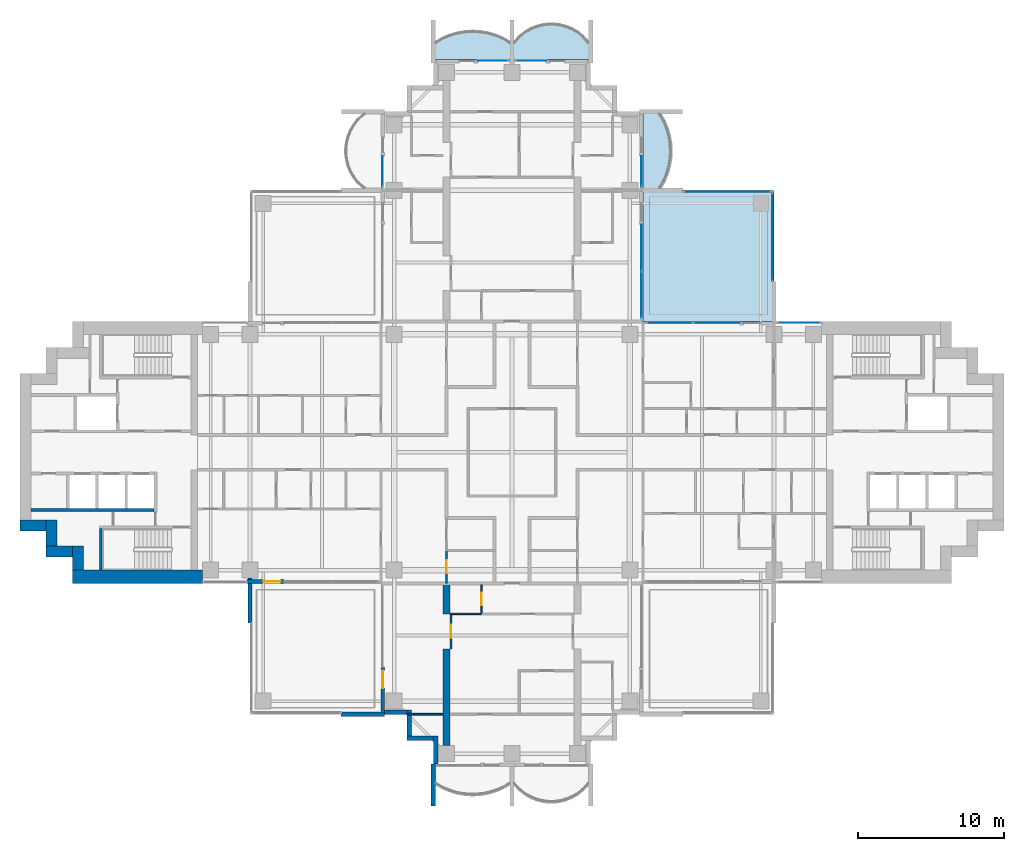
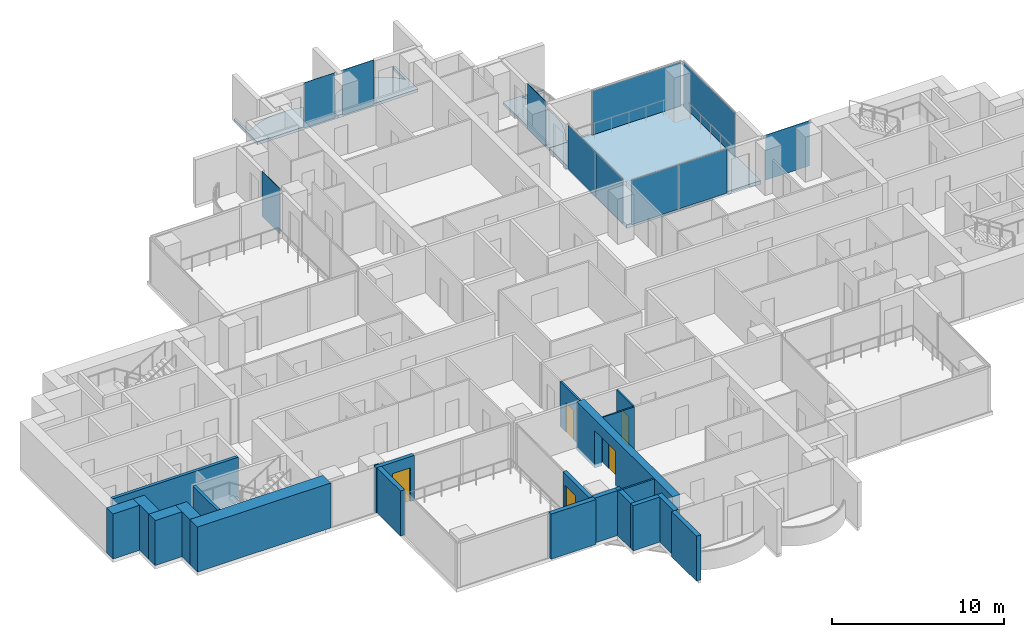
# One storey, part 8 of 19: 22 walls, 11 plates, 5 doors, 4 slabs, 5 openings, 9 elements without a shape of their own.
"""IFC4 building model written with IfcOpenShell, lengths in metres."""

from ifc_helpers import new_model, si_unit, direction, frame, frame_2d, origin, origin_2d, place, context, subcontext, project, spatial, polyline, rectangle, outline, extrude, material, layer, layer_set, material_profile, profile_set, type_object, element, fill, aggregate, save


model = new_model("IFC4")

# Units and contexts
model_context = context("Model", 3, precision=1e-05, world=origin(), true_north=direction((0.0, 1.0)))
body_context = subcontext(model_context, "Body", "Model", "MODEL_VIEW")
ifc_project = project(units=[si_unit("LENGTHUNIT", "METRE"), si_unit("AREAUNIT", "SQUARE_METRE"), si_unit("VOLUMEUNIT", "CUBIC_METRE"), si_unit("PLANEANGLEUNIT", "RADIAN"), si_unit("MASSUNIT", "GRAM", prefix="KILO")], contexts=[model_context])

# Site, building, storey
site_placement = place(None, origin())
site = spatial("IfcSite", under=ifc_project, at=site_placement, CompositionType="ELEMENT")
building_placement = place(site_placement, origin())
building = spatial("IfcBuilding", under=site, at=building_placement, Name="Perihelion Cross Residences", CompositionType="ELEMENT")
storey_placement = place(building_placement, frame((0.0, 0.0, 151.39990234375)))
storey = spatial("IfcBuildingStorey", under=building, at=storey_placement, Name="L37", CompositionType="ELEMENT", Elevation=151.39990234375)

# Slabs
ifc_material_1 = material(Name="Concrete C40/50", Category="concrete")
ifc_layer_1 = layer(ifc_material_1, 0.199951171875)
ifc_layer_set_1 = layer_set([ifc_layer_1], Name="Balcony slab 200")
slab_type_1 = type_object("IfcSlabType", Name="Balcony slab 200", PredefinedType="FLOOR", material=ifc_layer_set_1)
slab_1_placement = place(storey_placement, frame((0.0, 0.0, -0.199951171875)))
element("IfcSlab", 1, at=slab_1_placement, inside=storey, type_object=slab_type_1, Name="Slab BK1 L37 north side east bay 2 balcony", PredefinedType="FLOOR", context=body_context, shape_type="SweptSolid", body=[
    extrude(outline(polyline([(9.0, 18.0), (9.0, 23.39990234375), (11.699951171875, 23.39990234375), (11.699951171875, 23.25), (10.199951171875, 23.25), (10.4853515625, 22.739990234375), (10.694580078125, 22.22998046875), (10.838134765625, 21.719970703125), (10.92236328125, 21.2099609375), (10.949951171875, 20.699951171875), (10.92236328125, 20.18994140625), (10.838134765625, 19.679931640625), (10.694580078125, 19.169921875), (10.4853515625, 18.659912109375), (10.199951171875, 18.14990234375), (11.699951171875, 18.14990234375), (11.699951171875, 18.0), (9.0, 18.0)])), origin(), (0.0, 0.0, 1.0), 0.199951171875),
])
slab_2_placement = place(storey_placement, frame((0.0, 0.0, -0.199951171875)))
element("IfcSlab", 2, at=slab_2_placement, inside=storey, type_object=slab_type_1, Name="Slab BK1 L37 north tip north bay 1 balcony", PredefinedType="FLOOR", context=body_context, shape_type="SweptSolid", body=[
    extrude(outline(polyline([(5.39990234375, 27.0), (0.0, 27.0), (0.0, 29.699951171875), (0.14990234375, 29.699951171875), (0.14990234375, 28.199951171875), (0.542236328125, 28.622314453125), (0.9345703125, 28.924072265625), (1.326904296875, 29.143310546875), (1.71923828125, 29.29736328125), (2.111572265625, 29.39599609375), (2.50390625, 29.444091796875), (2.896240234375, 29.444091796875), (3.28857421875, 29.39599609375), (3.6806640625, 29.29736328125), (4.072998046875, 29.143310546875), (4.46533203125, 28.924072265625), (4.857666015625, 28.622314453125), (5.25, 28.199951171875), (5.25, 29.699951171875), (5.39990234375, 29.699951171875), (5.39990234375, 27.0)])), origin(), (0.0, 0.0, 1.0), 0.199951171875),
])
slab_3_placement = place(storey_placement, frame((0.0, 0.0, -0.199951171875)))
element("IfcSlab", 3, at=slab_3_placement, inside=storey, type_object=slab_type_1, Name="Slab BK1 L37 north tip north bay 2 balcony", PredefinedType="FLOOR", context=body_context, shape_type="SweptSolid", body=[
    extrude(outline(polyline([(0.0, 27.0), (-5.39990234375, 27.0), (-5.39990234375, 29.699951171875), (-5.25, 29.699951171875), (-5.25, 28.199951171875), (-4.739990234375, 28.4853515625), (-4.22998046875, 28.694580078125), (-3.719970703125, 28.838134765625), (-3.2099609375, 28.92236328125), (-2.699951171875, 28.949951171875), (-2.18994140625, 28.92236328125), (-1.679931640625, 28.838134765625), (-1.169921875, 28.694580078125), (-0.659912109375, 28.4853515625), (-0.14990234375, 28.199951171875), (-0.14990234375, 29.699951171875), (0.0, 29.699951171875), (0.0, 27.0)])), origin(), (0.0, 0.0, 1.0), 0.199951171875),
])

# Curtain wall, plate
ifc_material_2 = material(Name="Bronze anodised aluminium, tinted glazing", Category="aluminium")
curtain_wall_type_1 = type_object("IfcCurtainWallType", Name="CW1", PredefinedType="NOTDEFINED", material=ifc_material_2)
curtain_wall_1_placement = place(storey_placement, origin())
curtain_wall_1 = element("IfcCurtainWall", 4, at=curtain_wall_1_placement, inside=storey, type_object=curtain_wall_type_1, Name="Curtain wall CW1 L37 east side north bay 1", PredefinedType="NOTDEFINED")
ifc_material_3 = material(Name="Tinted laminated glass", Category="glass")
ifc_layer_2 = layer(ifc_material_3, 0.028076171875)
ifc_layer_set_2 = layer_set([ifc_layer_2], Name="CW1 panel")
plate_type_1 = type_object("IfcPlateType", Name="CW1 panel", PredefinedType="CURTAIN_PANEL", material=ifc_layer_set_2)
plate_1_placement = place(storey_placement, frame((19.72509765625, 8.89990234375, 0.0), z_axis=(0.0, 0.0, 1.0), x_axis=(-1.0, 0.0, 0.0)))
plate_1 = element("IfcPlate", 5, at=plate_1_placement, type_object=plate_type_1, Name="CW1 panel 1", PredefinedType="CURTAIN_PANEL", context=body_context, shape_type="SweptSolid", body=[
    extrude(rectangle(XDim=2.929931640625, YDim=0.028076171875, at=origin_2d()), origin(), (0.0, 0.0, 1.0), 3.199951171875),
])
aggregate(curtain_wall_1, [plate_1])

# Curtain wall, plates
curtain_wall_2_placement = place(storey_placement, origin())
curtain_wall_2 = element("IfcCurtainWall", 6, at=curtain_wall_2_placement, inside=storey, type_object=curtain_wall_type_1, Name="Curtain wall CW1 L37 east side north bay 2", PredefinedType="NOTDEFINED")
plate_2_placement = place(storey_placement, frame((14.052490234375, 8.89990234375, 0.0), z_axis=(0.0, 0.0, 1.0), x_axis=(-1.0, 0.0, 0.0)))
plate_2 = element("IfcPlate", 7, at=plate_2_placement, type_object=plate_type_1, Name="CW1 panel 1", PredefinedType="CURTAIN_PANEL", context=body_context, shape_type="SweptSolid", body=[
    extrude(rectangle(XDim=3.195068359375, YDim=0.028076171875, at=origin_2d()), origin(), (0.0, 0.0, 1.0), 3.139892578125),
])
plate_3_placement = place(storey_placement, frame((10.827392578125, 8.89990234375, 0.0), z_axis=(0.0, 0.0, 1.0), x_axis=(-1.0, 0.0, 0.0)))
plate_3 = element("IfcPlate", 8, at=plate_3_placement, type_object=plate_type_1, Name="CW1 panel 2", PredefinedType="CURTAIN_PANEL", context=body_context, shape_type="SweptSolid", body=[
    extrude(rectangle(XDim=3.135009765625, YDim=0.028076171875, at=origin_2d()), origin(), (0.0, 0.0, 1.0), 3.139892578125),
])
aggregate(curtain_wall_2, [plate_2, plate_3])

curtain_wall_3_placement = place(storey_placement, origin())
curtain_wall_3 = element("IfcCurtainWall", 9, at=curtain_wall_3_placement, inside=storey, type_object=curtain_wall_type_1, Name="Curtain wall CW1 L37 north side east bay 1", PredefinedType="NOTDEFINED")
plate_4_placement = place(storey_placement, frame((8.89990234375, 10.827392578125, 0.0), z_axis=(0.0, 0.0, 1.0), x_axis=(0.0, 1.0, 0.0)))
plate_4 = element("IfcPlate", 10, at=plate_4_placement, type_object=plate_type_1, Name="CW1 panel 1", PredefinedType="CURTAIN_PANEL", context=body_context, shape_type="SweptSolid", body=[
    extrude(rectangle(XDim=3.135009765625, YDim=0.028076171875, at=origin_2d()), origin(), (0.0, 0.0, 1.0), 3.139892578125),
])
plate_5_placement = place(storey_placement, frame((8.89990234375, 14.052490234375, 0.0), z_axis=(0.0, 0.0, 1.0), x_axis=(0.0, 1.0, 0.0)))
plate_5 = element("IfcPlate", 11, at=plate_5_placement, type_object=plate_type_1, Name="CW1 panel 2", PredefinedType="CURTAIN_PANEL", context=body_context, shape_type="SweptSolid", body=[
    extrude(rectangle(XDim=3.195068359375, YDim=0.028076171875, at=origin_2d()), origin(), (0.0, 0.0, 1.0), 3.139892578125),
])
aggregate(curtain_wall_3, [plate_4, plate_5])

# Curtain wall, plate
curtain_wall_4_placement = place(storey_placement, origin())
curtain_wall_4 = element("IfcCurtainWall", 12, at=curtain_wall_4_placement, inside=storey, type_object=curtain_wall_type_1, Name="Curtain wall CW1 L37 north side east bay 2", PredefinedType="NOTDEFINED")
plate_6_placement = place(storey_placement, frame((8.89990234375, 19.304931640625, 0.0), z_axis=(0.0, 0.0, 1.0), x_axis=(0.0, 1.0, 0.0)))
plate_6 = element("IfcPlate", 13, at=plate_6_placement, type_object=plate_type_1, Name="CW1 panel 1", PredefinedType="CURTAIN_PANEL", context=body_context, shape_type="SweptSolid", body=[
    extrude(rectangle(XDim=2.090087890625, YDim=0.028076171875, at=origin_2d()), origin(), (0.0, 0.0, 1.0), 3.199951171875),
])
aggregate(curtain_wall_4, [plate_6])

curtain_wall_5_placement = place(storey_placement, origin())
curtain_wall_5 = element("IfcCurtainWall", 14, at=curtain_wall_5_placement, inside=storey, type_object=curtain_wall_type_1, Name="Curtain wall CW1 L37 north tip north bay 1", PredefinedType="NOTDEFINED")
plate_7_placement = place(storey_placement, frame((1.304931640625, 26.89990234375, 0.0), z_axis=(0.0, 0.0, 1.0), x_axis=(-1.0, 0.0, 0.0)))
plate_7 = element("IfcPlate", 15, at=plate_7_placement, type_object=plate_type_1, Name="CW1 panel 1", PredefinedType="CURTAIN_PANEL", context=body_context, shape_type="SweptSolid", body=[
    extrude(rectangle(XDim=2.090087890625, YDim=0.028076171875, at=origin_2d()), origin(), (0.0, 0.0, 1.0), 3.199951171875),
])
aggregate(curtain_wall_5, [plate_7])

curtain_wall_6_placement = place(storey_placement, origin())
curtain_wall_6 = element("IfcCurtainWall", 16, at=curtain_wall_6_placement, inside=storey, type_object=curtain_wall_type_1, Name="Curtain wall CW1 L37 north tip north bay 2", PredefinedType="NOTDEFINED")
plate_8_placement = place(storey_placement, frame((-1.304931640625, 26.89990234375, 0.0), z_axis=(0.0, 0.0, 1.0), x_axis=(-1.0, 0.0, 0.0)))
plate_8 = element("IfcPlate", 17, at=plate_8_placement, type_object=plate_type_1, Name="CW1 panel 1", PredefinedType="CURTAIN_PANEL", context=body_context, shape_type="SweptSolid", body=[
    extrude(rectangle(XDim=2.090087890625, YDim=0.028076171875, at=origin_2d()), origin(), (0.0, 0.0, 1.0), 3.199951171875),
])
aggregate(curtain_wall_6, [plate_8])

curtain_wall_7_placement = place(storey_placement, origin())
curtain_wall_7 = element("IfcCurtainWall", 18, at=curtain_wall_7_placement, inside=storey, type_object=curtain_wall_type_1, Name="Curtain wall CW1 L37 north side west bay 1", PredefinedType="NOTDEFINED")
plate_9_placement = place(storey_placement, frame((-8.89990234375, 19.304931640625, 0.0), z_axis=(0.0, 0.0, 1.0), x_axis=(0.0, -1.0, 0.0)))
plate_9 = element("IfcPlate", 19, at=plate_9_placement, type_object=plate_type_1, Name="CW1 panel 1", PredefinedType="CURTAIN_PANEL", context=body_context, shape_type="SweptSolid", body=[
    extrude(rectangle(XDim=2.090087890625, YDim=0.028076171875, at=origin_2d()), origin(), (0.0, 0.0, 1.0), 3.199951171875),
])
aggregate(curtain_wall_7, [plate_9])

ifc_material_4 = material(Name="Bronze anodised aluminium, tinted glazing", Category="aluminium")
curtain_wall_type_2 = type_object("IfcCurtainWallType", Name="CW4", PredefinedType="NOTDEFINED", material=ifc_material_4)
curtain_wall_8_placement = place(storey_placement, origin())
curtain_wall_8 = element("IfcCurtainWall", 20, at=curtain_wall_8_placement, inside=storey, type_object=curtain_wall_type_2, Name="Curtain wall CW4 L37 pocket north-east 1 1", PredefinedType="NOTDEFINED")
ifc_material_5 = material(Name="Tinted laminated glass", Category="glass")
ifc_layer_3 = layer(ifc_material_5, 0.030029296875)
ifc_layer_set_3 = layer_set([ifc_layer_3], Name="CW4 panel")
plate_type_2 = type_object("IfcPlateType", Name="CW4 panel", PredefinedType="CURTAIN_PANEL", material=ifc_layer_set_3)
plate_10_placement = place(storey_placement, frame((14.784912109375, 17.89990234375, 0.0), z_axis=(0.0, 0.0, 1.0), x_axis=(1.0, 0.0, 0.0)))
plate_10 = element("IfcPlate", 21, at=plate_10_placement, type_object=plate_type_2, Name="CW4 panel 1", PredefinedType="CURTAIN_PANEL", context=body_context, shape_type="SweptSolid", body=[
    extrude(rectangle(XDim=5.969970703125, YDim=0.030029296875, at=origin_2d()), origin(), (0.0, 0.0, 1.0), 3.139892578125),
])
aggregate(curtain_wall_8, [plate_10])

curtain_wall_9_placement = place(storey_placement, origin())
curtain_wall_9 = element("IfcCurtainWall", 22, at=curtain_wall_9_placement, inside=storey, type_object=curtain_wall_type_2, Name="Curtain wall CW4 L37 pocket north-east 1 2", PredefinedType="NOTDEFINED")
plate_11_placement = place(storey_placement, frame((17.89990234375, 14.784912109375, 0.0), z_axis=(0.0, 0.0, 1.0), x_axis=(0.0, -1.0, 0.0)))
plate_11 = element("IfcPlate", 23, at=plate_11_placement, type_object=plate_type_2, Name="CW4 panel 1", PredefinedType="CURTAIN_PANEL", context=body_context, shape_type="SweptSolid", body=[
    extrude(rectangle(XDim=5.969970703125, YDim=0.030029296875, at=origin_2d()), origin(), (0.0, 0.0, 1.0), 3.139892578125),
])
aggregate(curtain_wall_9, [plate_11])

# Slab
ifc_material_6 = material(Name="Concrete C40/50", Category="concrete")
ifc_layer_4 = layer(ifc_material_6, 0.25)
ifc_layer_set_4 = layer_set([ifc_layer_4], Name="Winter garden slab")
slab_type_2 = type_object("IfcSlabType", Name="Winter garden slab", PredefinedType="FLOOR", material=ifc_layer_set_4)
slab_4_placement = place(storey_placement, frame((0.0, 0.0, -0.25)))
element("IfcSlab", 24, at=slab_4_placement, inside=storey, type_object=slab_type_2, Name="Slab BK3 L37 pocket north-east", PredefinedType="FLOOR", context=body_context, shape_type="SweptSolid", body=[
    extrude(outline(polyline([(18.0, 9.0), (18.0, 18.0), (9.0, 18.0), (9.0, 9.0), (18.0, 9.0)])), origin(), (0.0, 0.0, 1.0), 0.25),
])

# Wall, opening, door
ifc_material_7 = material(Name="Concrete C30/37, bronze-clad", Category="concrete")
ifc_layer_5 = layer(ifc_material_7, 0.25)
ifc_layer_set_5 = layer_set([ifc_layer_5], Name="Bronze-clad pier wall 250")
wall_type_1 = type_object("IfcWallType", Name="Bronze-clad pier wall 250", PredefinedType="SOLIDWALL", material=ifc_layer_set_5)
wall_1_placement = place(storey_placement, frame((-18.199951171875, -8.875, 0.0), z_axis=(0.0, 0.0, 1.0), x_axis=(1.0, 0.0, 0.0)))
wall_1 = element("IfcWall", 25, at=wall_1_placement, inside=storey, type_object=wall_type_1, Name="Wall FW1 L37 west side south bay 2 pier", PredefinedType="SOLIDWALL", context=body_context, shape_type="SweptSolid", body=[
    extrude(rectangle(XDim=2.550048828125, YDim=0.25, at=frame_2d((1.27490234375, 0.0))), origin(), (0.0, 0.0, 1.0), 3.2001953125),
])
opening_1_placement = place(wall_1_placement, frame((1.10009765625, 0.0, 0.0)))
opening_1 = element("IfcOpeningElement", 26, at=opening_1_placement, cuts=wall_1, Name="Opening L37.E09", PredefinedType="OPENING", context=body_context, shape_type="SweptSolid", body=[
    extrude(rectangle(XDim=1.199951171875, YDim=2.39990234375, at=frame_2d((0.60009765625, 1.199951171875))), frame((0.0, 0.135009765625, 0.0), z_axis=(0.0, -1.0, 0.0), x_axis=(1.0, 0.0, 0.0)), (0.0, 0.0, 1.0), 0.27001953125),
])
ifc_material_8 = material(Name="Bronze anodised aluminium, glazed", Category="aluminium")
door_type_1 = type_object("IfcDoorType", Name="Balcony door 1200 x 2400", OperationType="NOTDEFINED", PredefinedType="DOOR", material=ifc_material_8)
door_1_placement = place(opening_1_placement, origin())
door_1 = element("IfcDoor", 27, at=door_1_placement, inside=storey, type_object=door_type_1, Name="Door L37.E09 west side south bay 2", OperationType="SINGLE_SWING_RIGHT", OverallHeight=2.39990234375, OverallWidth=1.199951171875, PredefinedType="DOOR", context=body_context, shape_type="SweptSolid", body=[
    extrude(rectangle(XDim=1.199951171875, YDim=2.39990234375, at=frame_2d((0.60009765625, 1.199951171875))), frame((0.0, 0.02490234375, 0.0), z_axis=(0.0, -1.0, 0.0), x_axis=(1.0, 0.0, 0.0)), (0.0, 0.0, 1.0), 0.050048828125),
])
fill(opening_1, door_1)

wall_2_placement = place(storey_placement, frame((-8.875, -14.75, 0.0), z_axis=(0.0, 0.0, 1.0), x_axis=(0.0, -1.0, 0.0)))
wall_2 = element("IfcWall", 28, at=wall_2_placement, inside=storey, type_object=wall_type_1, Name="Wall FW1 L37 south side west bay 1 pier", PredefinedType="SOLIDWALL", context=body_context, shape_type="SweptSolid", body=[
    extrude(rectangle(XDim=3.050048828125, YDim=0.25, at=frame_2d((1.52490234375, 0.0))), origin(), (0.0, 0.0, 1.0), 3.2001953125),
])
opening_2_placement = place(wall_2_placement, frame((0.25, 0.0, 0.0)))
opening_2 = element("IfcOpeningElement", 29, at=opening_2_placement, cuts=wall_2, Name="Opening L37.E10", PredefinedType="OPENING", context=body_context, shape_type="SweptSolid", body=[
    extrude(rectangle(XDim=1.199951171875, YDim=2.39990234375, at=frame_2d((0.60009765625, 1.199951171875))), frame((0.0, 0.135009765625, 0.0), z_axis=(0.0, -1.0, 0.0), x_axis=(1.0, 0.0, 0.0)), (0.0, 0.0, 1.0), 0.27001953125),
])
door_2_placement = place(opening_2_placement, origin())
door_2 = element("IfcDoor", 30, at=door_2_placement, inside=storey, type_object=door_type_1, Name="Door L37.E10 south side west bay 1", OperationType="SINGLE_SWING_LEFT", OverallHeight=2.39990234375, OverallWidth=1.199951171875, PredefinedType="DOOR", context=body_context, shape_type="SweptSolid", body=[
    extrude(rectangle(XDim=1.199951171875, YDim=2.39990234375, at=frame_2d((0.60009765625, 1.199951171875))), frame((0.0, 0.02490234375, 0.0), z_axis=(0.0, -1.0, 0.0), x_axis=(1.0, 0.0, 0.0)), (0.0, 0.0, 1.0), 0.050048828125),
])
fill(opening_2, door_2)

# Walls
ifc_material_9 = material(Name="Concrete C30/37, bronze-clad", Category="concrete")
ifc_layer_6 = layer(ifc_material_9, 0.300048828125)
ifc_layer_set_6 = layer_set([ifc_layer_6], Name="Bronze-clad serration wall 300")
wall_type_2 = type_object("IfcWallType", Name="Bronze-clad serration wall 300", PredefinedType="SOLIDWALL", material=ifc_layer_set_6)
wall_3_placement = place(storey_placement, frame((-8.75, -17.85009765625, 0.0), z_axis=(0.0, 0.0, 1.0), x_axis=(1.0, 0.0, 0.0)))
element("IfcWall", 31, at=wall_3_placement, inside=storey, type_object=wall_type_2, Name="Wall SR1 L37 south corner south-west 1", PredefinedType="SOLIDWALL", context=body_context, shape_type="SweptSolid", body=[
    extrude(rectangle(XDim=1.550048828125, YDim=0.300048828125, at=frame_2d((0.77490234375, 0.0))), origin(), (0.0, 0.0, 1.0), 3.2001953125),
])
for number, where, z_axis, x_axis, name in (
    (32, (-7.050048828125, -17.699951171875, 0.0), (0.0, 0.0, 1.0), (0.0, -1.0, 0.0), "Wall SR1 L37 south corner south-west 2"),
    (33, (-7.199951171875, -19.64990234375, 0.0), (0.0, 0.0, 1.0), (1.0, 0.0, 0.0), "Wall SR1 L37 south corner south-west 3"),
):
    element("IfcWall", number, at=place(storey_placement, frame(where, z_axis=z_axis, x_axis=x_axis)), inside=storey, type_object=wall_type_2, Name=name, PredefinedType="SOLIDWALL", context=body_context, shape_type="SweptSolid", body=[
        extrude(rectangle(XDim=1.800048828125, YDim=0.300048828125, at=frame_2d((0.89990234375, 0.0))), origin(), (0.0, 0.0, 1.0), 3.2001953125),
    ])
wall_4_placement = place(storey_placement, frame((-5.25, -19.5, 0.0), z_axis=(0.0, 0.0, 1.0), x_axis=(0.0, -1.0, 0.0)))
element("IfcWall", 34, at=wall_4_placement, inside=storey, type_object=wall_type_2, Name="Wall SR1 L37 south corner south-west 4", PredefinedType="SOLIDWALL", context=body_context, shape_type="SweptSolid", body=[
    extrude(rectangle(XDim=1.919921875, YDim=0.300048828125, at=frame_2d((0.9599609375, 0.0))), origin(), (0.0, 0.0, 1.0), 3.2001953125),
])
ifc_material_10 = material(Name="Concrete C60/75", Category="concrete")
ifc_layer_7 = layer(ifc_material_10, 0.75)
ifc_layer_set_7 = layer_set([ifc_layer_7], Name="Core wall, outer 750")
wall_type_3 = type_object("IfcWallType", Name="Core wall, outer 750", PredefinedType="SHEAR", material=ifc_layer_set_7)
wall_5_placement = place(storey_placement, frame((-29.824951171875, -8.10009765625, 0.0), z_axis=(0.0, 0.0, 1.0), x_axis=(0.0, 1.0, 0.0)))
element("IfcWall", 35, at=wall_5_placement, inside=storey, type_object=wall_type_3, Name="West core core wall, outer", PredefinedType="SHEAR", context=body_context, shape_type="SweptSolid", body=[
    extrude(rectangle(XDim=1.650146484375, YDim=0.75, at=frame_2d((0.8251953125, 0.0))), origin(), (0.0, 0.0, 1.0), 3.2001953125),
])
for number, where, z_axis, x_axis, name in (
    (36, (-32.0, -6.824951171875, 0.0), (0.0, 0.0, 1.0), (1.0, 0.0, 0.0), "West core core wall, outer"),
    (37, (-31.625, -6.449951171875, 0.0), (0.0, 0.0, 1.0), (0.0, 1.0, 0.0), "West core core wall, outer"),
    (38, (-33.800048828125, -5.02490234375, 0.0), (0.0, 0.0, 1.0), (1.0, 0.0, 0.0), "West core core wall, outer"),
):
    element("IfcWall", number, at=place(storey_placement, frame(where, z_axis=z_axis, x_axis=x_axis)), inside=storey, type_object=wall_type_3, Name=name, PredefinedType="SHEAR", context=body_context, shape_type="SweptSolid", body=[
        extrude(rectangle(XDim=1.800048828125, YDim=0.75, at=frame_2d((0.89990234375, 0.0))), origin(), (0.0, 0.0, 1.0), 3.2001953125),
    ])
ifc_material_11 = material(Name="Concrete C60/75", Category="concrete")
ifc_layer_8 = layer(ifc_material_11, 0.89990234375)
ifc_layer_set_8 = layer_set([ifc_layer_8], Name="Core wall, outer 900")
wall_type_4 = type_object("IfcWallType", Name="Core wall, outer 900", PredefinedType="SHEAR", material=ifc_layer_set_8)
wall_6_placement = place(storey_placement, frame((-30.199951171875, -8.550048828125, 0.0), z_axis=(0.0, 0.0, 1.0), x_axis=(1.0, 0.0, 0.0)))
element("IfcWall", 39, at=wall_6_placement, inside=storey, type_object=wall_type_4, Name="West core core wall, outer", PredefinedType="SHEAR", context=body_context, shape_type="SweptSolid", body=[
    extrude(rectangle(XDim=8.949951171875, YDim=0.89990234375, at=frame_2d((4.47509765625, 0.0))), origin(), (0.0, 0.0, 1.0), 3.2001953125),
])

# Wall, opening, door
ifc_material_12 = material(Name="Plasterboard partition")
ifc_layer_9 = layer(ifc_material_12, 0.1201171875)
ifc_layer_set_9 = layer_set([ifc_layer_9], Name="Infill panel 120")
wall_type_5 = type_object("IfcWallType", Name="Infill panel 120", PredefinedType="PARTITIONING", material=ifc_layer_set_9)
wall_7_placement = place(storey_placement, frame((-4.18994140625, -11.10009765625, 0.0), z_axis=(0.0, 0.0, 1.0), x_axis=(0.0, -1.0, 0.0)))
wall_7 = element("IfcWall", 40, at=wall_7_placement, inside=storey, type_object=wall_type_5, Name="Partition L37 WI06", PredefinedType="PARTITIONING", context=body_context, shape_type="SweptSolid", body=[
    extrude(rectangle(XDim=2.39990234375, YDim=0.1201171875, at=frame_2d((1.199951171875, 0.0))), origin(), (0.0, 0.0, 1.0), 2.400146484375),
])
opening_3_placement = place(wall_7_placement, frame((0.75, 0.0, 0.0)))
opening_3 = element("IfcOpeningElement", 41, at=opening_3_placement, cuts=wall_7, Name="Opening L37.A59", PredefinedType="OPENING", context=body_context, shape_type="SweptSolid", body=[
    extrude(rectangle(XDim=0.89990234375, YDim=2.10009765625, at=frame_2d((0.449951171875, 1.050048828125))), frame((0.0, 0.070068359375, 0.0), z_axis=(0.0, -1.0, 0.0), x_axis=(1.0, 0.0, 0.0)), (0.0, 0.0, 1.0), 0.14013671875),
])
ifc_material_13 = material(Name="Timber door leaf", Category="wood")
door_type_2 = type_object("IfcDoorType", Name="Interior room door 900 x 2100", OperationType="SINGLE_SWING_LEFT", PredefinedType="DOOR", material=ifc_material_13)
door_3_placement = place(opening_3_placement, origin())
door_3 = element("IfcDoor", 42, at=door_3_placement, inside=storey, type_object=door_type_2, Name="Door L37.A59", OperationType="SINGLE_SWING_LEFT", OverallHeight=2.10009765625, OverallWidth=0.89990234375, PredefinedType="DOOR", context=body_context, shape_type="SweptSolid", body=[
    extrude(rectangle(XDim=0.89990234375, YDim=2.10009765625, at=frame_2d((0.449951171875, 1.050048828125))), frame((0.0, 0.02490234375, 0.0), z_axis=(0.0, -1.0, 0.0), x_axis=(1.0, 0.0, 0.0)), (0.0, 0.0, 1.0), 0.050048828125),
])
fill(opening_3, door_3)

ifc_material_14 = material(Name="Plasterboard partition")
ifc_layer_10 = layer(ifc_material_14, 0.1201171875)
ifc_layer_set_10 = layer_set([ifc_layer_10], Name="Partition wall 120")
wall_type_6 = type_object("IfcWallType", Name="Partition wall 120", PredefinedType="PARTITIONING", material=ifc_layer_set_10)
wall_8_placement = place(storey_placement, frame((-4.5, -6.75, 0.0), z_axis=(0.0, 0.0, 1.0), x_axis=(0.0, -1.0, 0.0)))
wall_8 = element("IfcWall", 43, at=wall_8_placement, inside=storey, type_object=wall_type_6, Name="Partition L37 W065", PredefinedType="PARTITIONING", context=body_context, shape_type="SweptSolid", body=[
    extrude(rectangle(XDim=2.25, YDim=0.1201171875, at=frame_2d((1.125, 0.0))), origin(), (0.0, 0.0, 1.0), 3.2001953125),
])
opening_4_placement = place(wall_8_placement, frame((0.675048828125, 0.0, 0.0)))
opening_4 = element("IfcOpeningElement", 44, at=opening_4_placement, cuts=wall_8, Name="Opening L37.A31", PredefinedType="OPENING", context=body_context, shape_type="SweptSolid", body=[
    extrude(rectangle(XDim=0.89990234375, YDim=2.10009765625, at=frame_2d((0.449951171875, 1.050048828125))), frame((0.0, 0.070068359375, 0.0), z_axis=(0.0, -1.0, 0.0), x_axis=(1.0, 0.0, 0.0)), (0.0, 0.0, 1.0), 0.14013671875),
])
door_4_placement = place(opening_4_placement, origin())
door_4 = element("IfcDoor", 45, at=door_4_placement, inside=storey, type_object=door_type_2, Name="Door L37.A31", OperationType="SINGLE_SWING_LEFT", OverallHeight=2.10009765625, OverallWidth=0.89990234375, PredefinedType="DOOR", context=body_context, shape_type="SweptSolid", body=[
    extrude(rectangle(XDim=0.89990234375, YDim=2.10009765625, at=frame_2d((0.449951171875, 1.050048828125))), frame((0.0, 0.02490234375, 0.0), z_axis=(0.0, -1.0, 0.0), x_axis=(1.0, 0.0, 0.0)), (0.0, 0.0, 1.0), 0.050048828125),
])
fill(opening_4, door_4)

# Walls
wall_9_placement = place(storey_placement, frame((-4.75, -18.0, 0.0), z_axis=(0.0, 0.0, 1.0), x_axis=(-1.0, 0.0, 0.0)))
element("IfcWall", 46, at=wall_9_placement, inside=storey, type_object=wall_type_6, Name="Partition L37 W096", PredefinedType="PARTITIONING", context=body_context, shape_type="SweptSolid", body=[
    extrude(rectangle(XDim=2.3701171875, YDim=0.1201171875, at=frame_2d((1.18505859375, 0.0))), origin(), (0.0, 0.0, 1.0), 3.2001953125),
])
ifc_material_15 = material(Name="Precast concrete C50/60", Category="concrete")
ifc_layer_11 = layer(ifc_material_15, 0.300048828125)
ifc_layer_set_11 = layer_set([ifc_layer_11], Name="Precast concrete C50/60 blade wall 300")
wall_type_7 = type_object("IfcWallType", Name="Precast concrete C50/60 blade wall 300", PredefinedType="SOLIDWALL", material=ifc_layer_set_11)
wall_10_placement = place(storey_placement, frame((-18.0, -8.64990234375, 0.0), z_axis=(0.0, 0.0, 1.0), x_axis=(0.0, -1.0, 0.0)))
element("IfcWall", 47, at=wall_10_placement, inside=storey, type_object=wall_type_7, Name="Wall BL1 L37 no. 1", PredefinedType="SOLIDWALL", context=body_context, shape_type="SweptSolid", body=[
    extrude(rectangle(XDim=3.090087890625, YDim=0.300048828125, at=frame_2d((1.544921875, 0.0))), origin(), (0.0, 0.0, 1.0), 3.2001953125),
])
wall_11_placement = place(storey_placement, frame((-8.75, -18.0, 0.0), z_axis=(0.0, 0.0, 1.0), x_axis=(-1.0, 0.0, 0.0)))
element("IfcWall", 48, at=wall_11_placement, inside=storey, type_object=wall_type_7, Name="Wall BL1 L37 no. 5", PredefinedType="SOLIDWALL", context=body_context, shape_type="SweptSolid", body=[
    extrude(rectangle(XDim=2.989990234375, YDim=0.300048828125, at=frame_2d((1.4951171875, 0.0))), origin(), (0.0, 0.0, 1.0), 3.2001953125),
])
wall_12_placement = place(storey_placement, frame((-5.39990234375, -21.419921875, 0.0), z_axis=(0.0, 0.0, 1.0), x_axis=(0.0, -1.0, 0.0)))
element("IfcWall", 49, at=wall_12_placement, inside=storey, type_object=wall_type_7, Name="Wall BL1 L37 no. 3", PredefinedType="SOLIDWALL", context=body_context, shape_type="SweptSolid", body=[
    extrude(rectangle(XDim=2.880126953125, YDim=0.300048828125, at=frame_2d((1.43994140625, 0.0))), origin(), (0.0, 0.0, 1.0), 3.2001953125),
])
ifc_material_16 = material(Name="Concrete C50/60", Category="concrete")
ifc_layer_12 = layer(ifc_material_16, 0.199951171875)
ifc_layer_set_12 = layer_set([ifc_layer_12], Name="Shaft wall 200")
wall_type_8 = type_object("IfcWallType", Name="Shaft wall 200", PredefinedType="SOLIDWALL", material=ifc_layer_set_12)
wall_13_placement = place(storey_placement, frame((-33.050048828125, -3.949951171875, 0.0), z_axis=(0.0, 0.0, 1.0), x_axis=(1.0, 0.0, 0.0)))
element("IfcWall", 50, at=wall_13_placement, inside=storey, type_object=wall_type_8, Name="West core shaft wall", PredefinedType="SOLIDWALL", context=body_context, shape_type="SweptSolid", body=[
    extrude(rectangle(XDim=8.449951171875, YDim=0.199951171875, at=frame_2d((4.22509765625, 0.0))), origin(), (0.0, 0.0, 1.0), 3.2001953125),
])
ifc_material_17 = material(Name="Concrete C50/60", Category="concrete")
ifc_layer_13 = layer(ifc_material_17, 0.199951171875)
ifc_layer_set_13 = layer_set([ifc_layer_13], Name="Stair wall 200")
wall_type_9 = type_object("IfcWallType", Name="Stair wall 200", PredefinedType="SOLIDWALL", material=ifc_layer_set_13)
wall_14_placement = place(storey_placement, frame((-28.25, -8.10009765625, 0.0), z_axis=(0.0, 0.0, 1.0), x_axis=(0.0, 1.0, 0.0)))
element("IfcWall", 51, at=wall_14_placement, inside=storey, type_object=wall_type_9, Name="West core stair wall", PredefinedType="SOLIDWALL", context=body_context, shape_type="SweptSolid", body=[
    extrude(rectangle(XDim=2.85009765625, YDim=0.199951171875, at=frame_2d((1.425048828125, 0.0))), origin(), (0.0, 0.0, 1.0), 3.2001953125),
])
ifc_material_18 = material(Name="Concrete C60/75", Category="concrete")
ifc_material_profile = material_profile(ifc_material_18, outline(polyline([(0.0, 0.0), (6.64990234375, 0.0), (6.64990234375, 2.64990234375), (9.050048828125, 2.64990234375), (9.050048828125, 0.0), (11.14990234375, 0.0), (11.14990234375, 3.449951171875), (0.0, 3.449951171875), (0.0, 0.0)])), Name="Tip spine wall")
ifc_profile_set = profile_set([ifc_material_profile], Name="Concrete C60/75")
wall_type_10 = type_object("IfcWallType", Name="Tip spine wall 500 with 1 door openings 11150 long 3450 high concrete C60/75", PredefinedType="SHEAR", material=ifc_profile_set)
wall_15_placement = place(storey_placement, frame((-4.75, -20.14990234375, -0.25), z_axis=(1.0, 0.0, 0.0), x_axis=(0.0, 1.0, 0.0)))
element("IfcWall", 52, at=wall_15_placement, inside=storey, type_object=wall_type_10, Name="Shear wall SW35 L37 south west", PredefinedType="SHEAR", context=body_context, shape_type="SweptSolid", body=[
    extrude(outline(polyline([(0.0, 0.0), (6.64990234375, 0.0), (6.64990234375, 2.64990234375), (9.050048828125, 2.64990234375), (9.050048828125, 0.0), (11.14990234375, 0.0), (11.14990234375, 3.449951171875), (0.0, 3.449951171875), (0.0, 0.0)])), origin(), (0.0, 0.0, 1.0), 0.5),
])

# Wall, opening, door
ifc_material_19 = material(Name="Plasterboard partition")
ifc_layer_14 = layer(ifc_material_19, 0.10009765625)
ifc_layer_set_14 = layer_set([ifc_layer_14], Name="Wet room wall 100")
wall_type_11 = type_object("IfcWallType", Name="Wet room wall 100", PredefinedType="PARTITIONING", material=ifc_layer_set_14)
wall_16_placement = place(storey_placement, frame((-2.10009765625, -11.0400390625, 0.0), z_axis=(0.0, 0.0, 1.0), x_axis=(0.0, 1.0, 0.0)))
wall_16 = element("IfcWall", 53, at=wall_16_placement, inside=storey, type_object=wall_type_11, Name="Partition L37 W087", PredefinedType="PARTITIONING", context=body_context, shape_type="SweptSolid", body=[
    extrude(rectangle(XDim=1.93994140625, YDim=0.10009765625, at=frame_2d((0.969970703125, 0.0))), origin(), (0.0, 0.0, 1.0), 3.2001953125),
])
opening_5_placement = place(wall_16_placement, frame((0.544921875, 0.0, 0.0)))
opening_5 = element("IfcOpeningElement", 54, at=opening_5_placement, cuts=wall_16, Name="Opening L37.A45", PredefinedType="OPENING", context=body_context, shape_type="SweptSolid", body=[
    extrude(rectangle(XDim=0.85009765625, YDim=2.10009765625, at=frame_2d((0.425048828125, 1.050048828125))), frame((0.0, 0.06005859375, 0.0), z_axis=(0.0, -1.0, 0.0), x_axis=(1.0, 0.0, 0.0)), (0.0, 0.0, 1.0), 0.1201171875),
])
ifc_material_20 = material(Name="Timber door leaf", Category="wood")
door_type_3 = type_object("IfcDoorType", Name="Interior bathroom door 850 x 2100", OperationType="SINGLE_SWING_LEFT", PredefinedType="DOOR", material=ifc_material_20)
door_5_placement = place(opening_5_placement, origin())
door_5 = element("IfcDoor", 55, at=door_5_placement, inside=storey, type_object=door_type_3, Name="Door L37.A45", OperationType="SINGLE_SWING_LEFT", OverallHeight=2.10009765625, OverallWidth=0.85009765625, PredefinedType="DOOR", context=body_context, shape_type="SweptSolid", body=[
    extrude(rectangle(XDim=0.85009765625, YDim=2.10009765625, at=frame_2d((0.425048828125, 1.050048828125))), frame((0.0, 0.02490234375, 0.0), z_axis=(0.0, -1.0, 0.0), x_axis=(1.0, 0.0, 0.0)), (0.0, 0.0, 1.0), 0.050048828125),
])
fill(opening_5, door_5)

# Wall
wall_17_placement = place(storey_placement, frame((-2.10009765625, -11.10009765625, 0.0), z_axis=(0.0, 0.0, 1.0), x_axis=(-1.0, 0.0, 0.0)))
element("IfcWall", 56, at=wall_17_placement, inside=storey, type_object=wall_type_11, Name="Partition L37 W089", PredefinedType="PARTITIONING", context=body_context, shape_type="SweptSolid", body=[
    extrude(rectangle(XDim=2.14990234375, YDim=0.10009765625, at=frame_2d((1.074951171875, 0.0))), origin(), (0.0, 0.0, 1.0), 3.2001953125),
])

save(model, "model.ifc")
